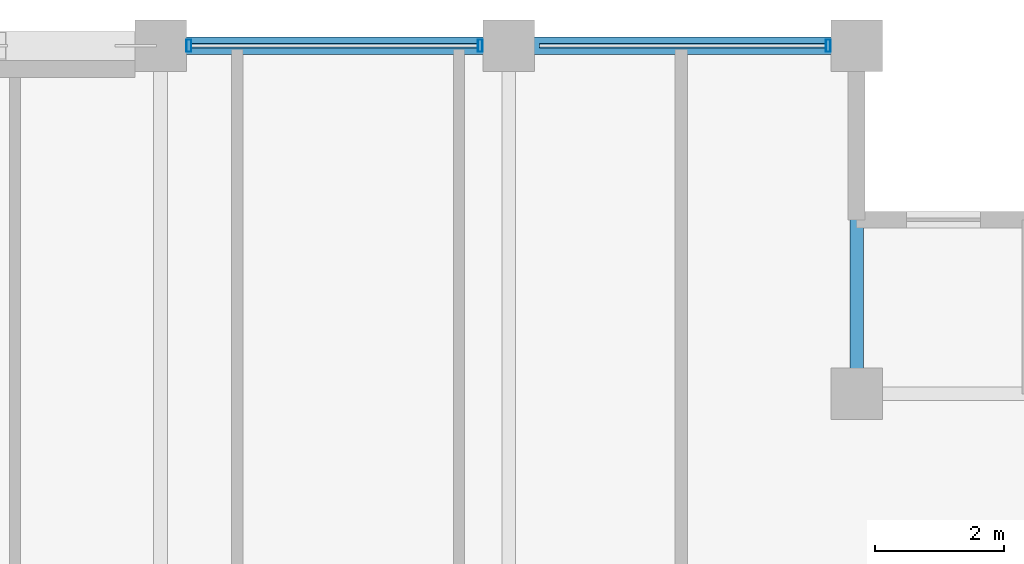
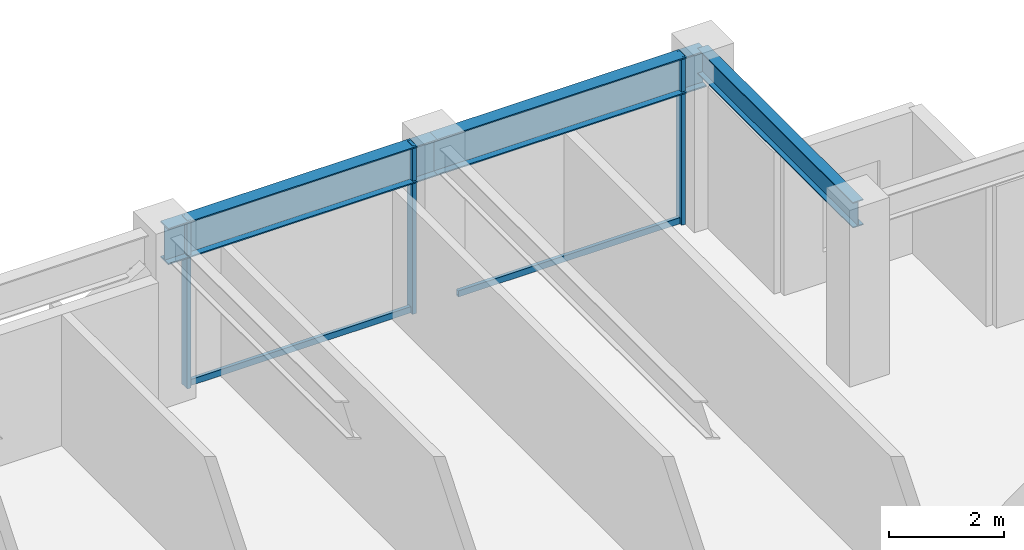
# One storey, part 19 of 28: 5 members, 3 beams, 1 element without a shape of its own.
"""IFC4 building model written with IfcOpenShell, lengths in metres."""

from ifc_helpers import new_model, si_unit, direction, frame, origin, origin_2d, place, context, subcontext, project, spatial, hollow_rectangle, i_section, extrude, material, layer, layer_set, material_profile, profile_set, type_object, element, aggregate, save


model = new_model("IFC4")

# Units and contexts
model_context = context("Model", 3, precision=1e-05, world=origin(), true_north=direction((0.0, 1.0)))
body_context = subcontext(model_context, "Body", "Model", "MODEL_VIEW")
ifc_project = project(units=[si_unit("LENGTHUNIT", "METRE"), si_unit("AREAUNIT", "SQUARE_METRE"), si_unit("VOLUMEUNIT", "CUBIC_METRE"), si_unit("PLANEANGLEUNIT", "RADIAN"), si_unit("MASSUNIT", "GRAM", prefix="KILO")], contexts=[model_context])

# Site, building, storey
site_placement = place(None, origin())
site = spatial("IfcSite", under=ifc_project, at=site_placement, CompositionType="ELEMENT")
building_placement = place(site_placement, origin())
building = spatial("IfcBuilding", under=site, at=building_placement, Name="Surkhivell Harbour Commons", CompositionType="ELEMENT")
storey_placement = place(building_placement, frame((0.0, 0.0, 238.5)))
storey = spatial("IfcBuildingStorey", under=building, at=storey_placement, Name="L62", CompositionType="ELEMENT", Elevation=238.5)

# Beams
ifc_material_1 = material(Name="Steel S355", Category="steel")
ifc_material_profile_1 = material_profile(ifc_material_1, i_section(OverallWidth=0.2119140625, OverallDepth=0.5439453125, WebThickness=0.0126953125, FlangeThickness=0.021240234375, at=origin_2d()), Name="UB533x210x122")
ifc_profile_set_1 = profile_set([ifc_material_profile_1], Name="Steel S355")
beam_type_1 = type_object("IfcBeamType", Name="BM-GRD-533A", PredefinedType="BEAM", material=ifc_profile_set_1)
beam_1_placement = place(storey_placement, frame((16.199951171875, 20.5, 3.298095703125), z_axis=(0.0, 1.0, 0.0), x_axis=(-1.0, 0.0, 0.0)))
element("IfcBeam", 1, at=beam_1_placement, inside=storey, type_object=beam_type_1, Name="L62 Floor Girder (16.2,20.5)", PredefinedType="BEAM", context=body_context, shape_type="SweptSolid", body=[
    extrude(i_section(OverallWidth=0.2119140625, OverallDepth=0.5439453125, WebThickness=0.0126953125, FlangeThickness=0.021240234375, at=origin_2d()), origin(), (0.0, 0.0, 1.0), 5.39990234375),
])
ifc_material_profile_2 = material_profile(ifc_material_1, i_section(OverallWidth=0.26806640625, OverallDepth=0.77001953125, WebThickness=0.015625, FlangeThickness=0.025390625, at=origin_2d()), Name="UB762x267x197")
ifc_profile_set_2 = profile_set([ifc_material_profile_2], Name="Steel S355")
beam_type_2 = type_object("IfcBeamType", Name="BM-SPN-762", PredefinedType="SPANDREL", material=ifc_profile_set_2)
beam_2_placement = place(storey_placement, frame((5.39990234375, 25.89990234375, 3.18505859375), z_axis=(1.0, 0.0, 0.0), x_axis=(0.0, 1.0, 0.0)))
element("IfcBeam", 2, at=beam_2_placement, inside=storey, type_object=beam_type_2, Name="L62 Tube Spandrel (5.4,25.9)", PredefinedType="SPANDREL", context=body_context, shape_type="SweptSolid", body=[
    extrude(i_section(OverallWidth=0.26806640625, OverallDepth=0.77001953125, WebThickness=0.015625, FlangeThickness=0.025390625, at=origin_2d()), origin(), (0.0, 0.0, 1.0), 5.400146484375),
])
beam_3_placement = place(storey_placement, frame((10.800048828125, 25.89990234375, 3.18505859375), z_axis=(1.0, 0.0, 0.0), x_axis=(0.0, 1.0, 0.0)))
element("IfcBeam", 3, at=beam_3_placement, inside=storey, type_object=beam_type_2, Name="L62 Tube Spandrel (10.8,25.9)", PredefinedType="SPANDREL", context=body_context, shape_type="SweptSolid", body=[
    extrude(i_section(OverallWidth=0.26806640625, OverallDepth=0.77001953125, WebThickness=0.015625, FlangeThickness=0.025390625, at=origin_2d()), origin(), (0.0, 0.0, 1.0), 5.39990234375),
])

# Curtain wall, members
ifc_material_2 = material(Name="Anodised pale-metal aluminium and insulated glazing", Category="aluminium")
ifc_layer = layer(ifc_material_2, 0.18994140625)
ifc_layer_set = layer_set([ifc_layer], Name="Anodised pale-metal aluminium and insulated glazing")
curtain_wall_type = type_object("IfcCurtainWallType", Name="CW-SYS-Z3", PredefinedType="NOTDEFINED", material=ifc_layer_set)
curtain_wall_placement = place(storey_placement, origin())
curtain_wall = element("IfcCurtainWall", 4, at=curtain_wall_placement, inside=storey, type_object=curtain_wall_type, Name="L62 Curtain Wall CW-L62-E07S1", PredefinedType="NOTDEFINED")
ifc_material_3 = material(Name="Anodised pale-metal aluminium alloy 6063-T6", Category="aluminium")
ifc_material_profile_3 = material_profile(ifc_material_3, hollow_rectangle(XDim=0.074951171875, YDim=0.18994140625, WallThickness=0.00390625, at=origin_2d()), Name="ALU-MULL-75x190")
ifc_profile_set_3 = profile_set([ifc_material_profile_3], Name="Anodised pale-metal aluminium alloy 6063-T6")
member_type_1 = type_object("IfcMemberType", Name="CWM-190", PredefinedType="MULLION", material=ifc_profile_set_3)
member_1_placement = place(storey_placement, frame((15.760498046875, 25.89990234375, 0.0), z_axis=(0.0, 0.0, 1.0), x_axis=(-1.0, 0.0, 0.0)))
member_1 = element("IfcMember", 5, at=member_1_placement, type_object=member_type_1, Name="CW-Z3 mullion 1", PredefinedType="MULLION", context=body_context, shape_type="SweptSolid", body=[
    extrude(hollow_rectangle(XDim=0.074951171875, YDim=0.18994140625, WallThickness=0.00390625, at=origin_2d()), origin(), (0.0, 0.0, 1.0), 3.570068359375),
])
member_2_placement = place(storey_placement, frame((10.360595703125, 25.89990234375, 0.0), z_axis=(0.0, 0.0, 1.0), x_axis=(-1.0, 0.0, 0.0)))
member_2 = element("IfcMember", 6, at=member_2_placement, type_object=member_type_1, Name="CW-Z3 mullion 2", PredefinedType="MULLION", context=body_context, shape_type="SweptSolid", body=[
    extrude(hollow_rectangle(XDim=0.074951171875, YDim=0.18994140625, WallThickness=0.00390625, at=origin_2d()), origin(), (0.0, 0.0, 1.0), 3.570068359375),
])
member_3_placement = place(storey_placement, frame((5.839599609375, 25.89990234375, 0.0), z_axis=(0.0, 0.0, 1.0), x_axis=(-1.0, 0.0, 0.0)))
member_3 = element("IfcMember", 7, at=member_3_placement, type_object=member_type_1, Name="CW-Z3 mullion 3", PredefinedType="MULLION", context=body_context, shape_type="SweptSolid", body=[
    extrude(hollow_rectangle(XDim=0.074951171875, YDim=0.18994140625, WallThickness=0.00390625, at=origin_2d()), origin(), (0.0, 0.0, 1.0), 3.570068359375),
])
ifc_material_4 = material(Name="Champagne anodised aluminium alloy 6063-T6", Category="aluminium")
ifc_material_profile_4 = material_profile(ifc_material_4, hollow_rectangle(XDim=0.070068359375, YDim=0.1298828125, WallThickness=0.00341796875, at=origin_2d()), Name="ALU-TRAN-70x130")
ifc_profile_set_4 = profile_set([ifc_material_profile_4], Name="Champagne anodised aluminium alloy 6063-T6")
member_type_2 = type_object("IfcMemberType", Name="CWT-130", PredefinedType="USERDEFINED", material=ifc_profile_set_4)
member_4_placement = place(storey_placement, frame((15.722900390625, 25.89990234375, 0.06494140625), z_axis=(-1.0, 0.0, 0.0), x_axis=(0.0, -1.0, 0.0)))
member_4 = element("IfcMember", 8, at=member_4_placement, type_object=member_type_2, Name="CW-Z3 transom 1.1", ObjectType="TRANSOM", PredefinedType="USERDEFINED", context=body_context, shape_type="SweptSolid", body=[
    extrude(hollow_rectangle(XDim=0.070068359375, YDim=0.1298828125, WallThickness=0.00341796875, at=origin_2d()), origin(), (0.0, 0.0, 1.0), 4.44580078125),
])
member_5_placement = place(storey_placement, frame((10.322998046875, 25.89990234375, 0.06494140625), z_axis=(-1.0, 0.0, 0.0), x_axis=(0.0, -1.0, 0.0)))
member_5 = element("IfcMember", 9, at=member_5_placement, type_object=member_type_2, Name="CW-Z3 transom 2.1", ObjectType="TRANSOM", PredefinedType="USERDEFINED", context=body_context, shape_type="SweptSolid", body=[
    extrude(hollow_rectangle(XDim=0.070068359375, YDim=0.1298828125, WallThickness=0.00341796875, at=origin_2d()), origin(), (0.0, 0.0, 1.0), 4.446044921875),
])
aggregate(curtain_wall, [member_1, member_4, member_2, member_3, member_5])

save(model, "model.ifc")
